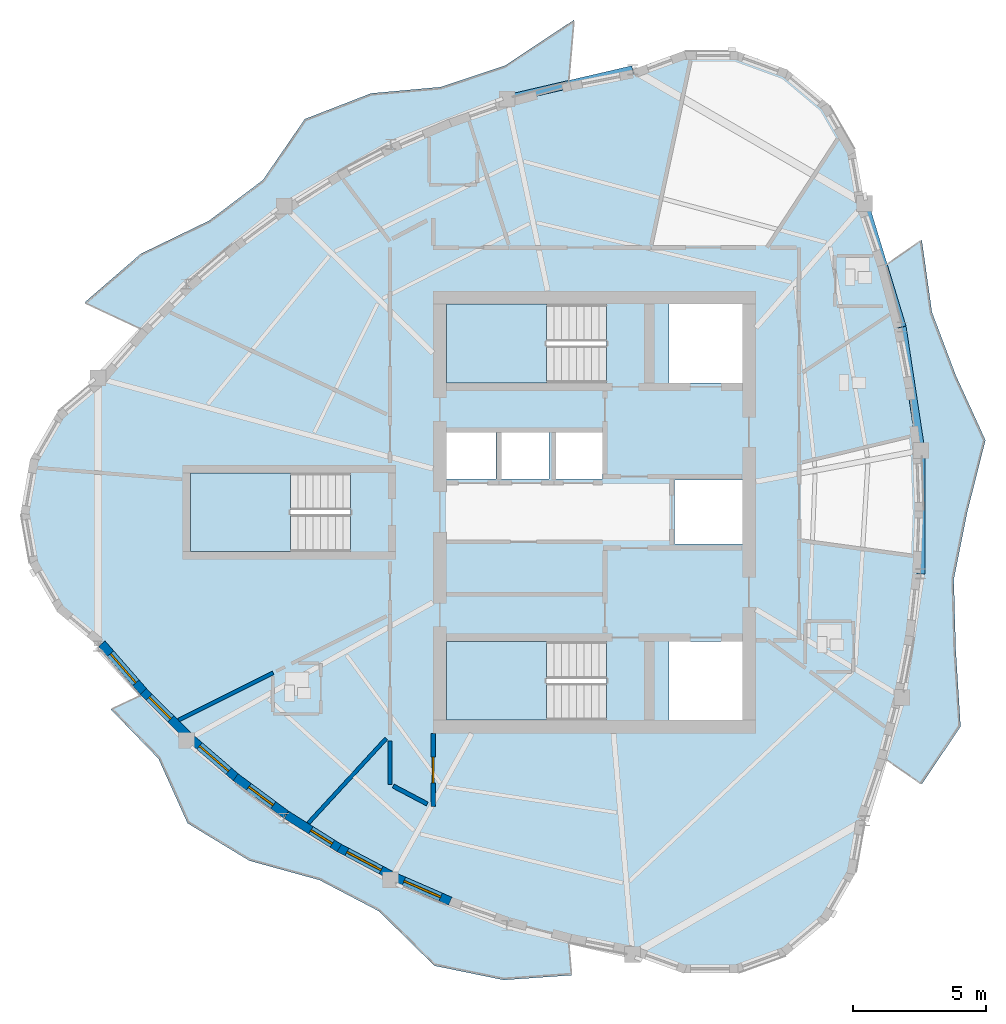
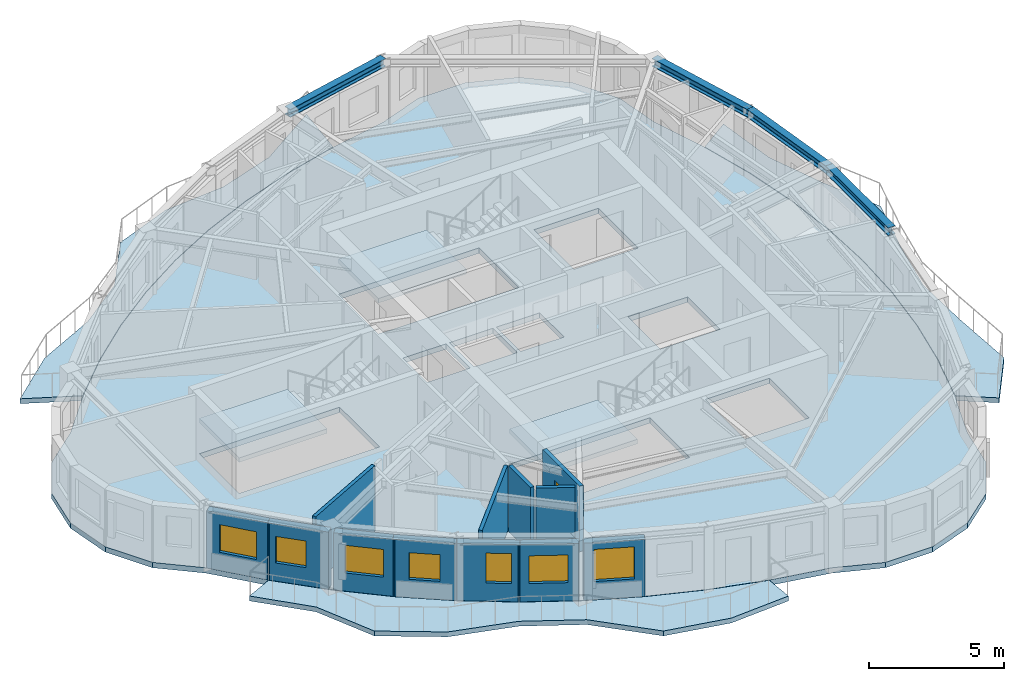
# One storey, part 2 of 12: 12 walls, 7 slabs, 7 windows, 4 beams, 1 door, 8 openings, 3 elements without a shape of their own.
"""IFC4 building model written with IfcOpenShell, lengths in metres."""

from ifc_helpers import new_model, si_unit, direction, frame, frame_2d, origin, origin_2d, place, context, subcontext, project, spatial, polyline, rectangle, i_section, outline, extrude, source, transform, mapped, material, layer, layer_set, material_profile, profile_set, type_object, element, fill, aggregate, save


model = new_model("IFC4")

# Units and contexts
model_context = context("Model", 3, precision=1e-05, world=origin(), true_north=direction((0.0, 1.0)))
body_context = subcontext(model_context, "Body", "Model", "MODEL_VIEW")
ifc_project = project(units=[si_unit("LENGTHUNIT", "METRE"), si_unit("AREAUNIT", "SQUARE_METRE"), si_unit("VOLUMEUNIT", "CUBIC_METRE"), si_unit("PLANEANGLEUNIT", "RADIAN"), si_unit("MASSUNIT", "GRAM", prefix="KILO")], contexts=[model_context])

# Site, building, storey
site_placement = place(None, origin())
site = spatial("IfcSite", under=ifc_project, at=site_placement, CompositionType="ELEMENT")
building_placement = place(site_placement, origin())
building = spatial("IfcBuilding", under=site, at=building_placement, Name="Qafzar Sky-Pleat Residences", CompositionType="ELEMENT")
storey_placement = place(building_placement, frame((0.0, 0.0, 198.800048828125)))
storey = spatial("IfcBuildingStorey", under=building, at=storey_placement, Name="L59", CompositionType="ELEMENT", Elevation=198.800048828125)

# Beams
ifc_material_1 = material(Name="Steel S355", Category="steel")
ifc_material_profile = material_profile(ifc_material_1, i_section(OverallWidth=0.300048828125, OverallDepth=0.360107421875, WebThickness=0.012451171875, FlangeThickness=0.0224609375, FilletRadius=0.027099609375, at=origin_2d()), Name="HEB 360")
ifc_profile_set = profile_set([ifc_material_profile], Name="Steel S355")
beam_type = type_object("IfcBeamType", Name="BM-SPAN-HEB360", PredefinedType="SPANDREL", material=ifc_profile_set)
shared_shape_1 = source(origin(), body_context, "Body", "SweptSolid", [
    extrude(i_section(OverallWidth=0.300048828125, OverallDepth=0.360107421875, WebThickness=0.012451171875, FlangeThickness=0.0224609375, FilletRadius=0.027099609375, at=origin_2d()), origin(), (0.0, 0.0, 1.0), 4.837158203125),
])
for number, where, z_axis, x_axis, name in (
    (1, (41.886962890625, 32.942138671875, 2.77783203125), (-0.290874397057, 0.956761247719, 0.0), (-0.956761247719, -0.290874397057, 0.0), "L59 Perimeter Spandrel Beam 12"),
    (2, (31.780029296875, 42.593017578125, 2.77783203125), (-0.974018125748, -0.226470065822, 0.0), (0.226470065822, -0.974018125748, 0.0), "L59 Perimeter Spandrel Beam 14"),
):
    element("IfcBeam", number, at=place(storey_placement, frame(where, z_axis=z_axis, x_axis=x_axis)), inside=storey, type_object=beam_type, Name=name, PredefinedType="SPANDREL", context=body_context, shape_type="MappedRepresentation", body=[
        mapped(shared_shape_1, transform((0.0, 0.0, 0.0), x_axis=(1.0, 0.0, 0.0), y_axis=(0.0, 1.0, 0.0), z_axis=(0.0, 0.0, 1.0), scale=1.0)),
    ])
shared_shape_2 = source(origin(), body_context, "Body", "SweptSolid", [
    extrude(i_section(OverallWidth=0.300048828125, OverallDepth=0.360107421875, WebThickness=0.012451171875, FlangeThickness=0.0224609375, FilletRadius=0.027099609375, at=origin_2d()), origin(), (0.0, 0.0, 1.0), 4.681396484375),
])
beam_1_placement = place(storey_placement, frame((42.59033203125, 28.31396484375, 2.77783203125), z_axis=(-0.150250295924, 0.988647990224, 0.0), x_axis=(-0.988647990224, -0.150250295924, 0.0)))
element("IfcBeam", 3, at=beam_1_placement, inside=storey, type_object=beam_type, Name="L59 Perimeter Spandrel Beam 11", PredefinedType="SPANDREL", context=body_context, shape_type="MappedRepresentation", body=[
    mapped(shared_shape_2, transform((0.0, 0.0, 0.0), x_axis=(1.0, 0.0, 0.0), y_axis=(0.0, 1.0, 0.0), z_axis=(0.0, 0.0, 1.0), scale=1.0)),
])
shared_shape_3 = source(origin(), body_context, "Body", "SweptSolid", [
    extrude(i_section(OverallWidth=0.300048828125, OverallDepth=0.360107421875, WebThickness=0.012451171875, FlangeThickness=0.0224609375, FilletRadius=0.027099609375, at=origin_2d()), origin(), (0.0, 0.0, 1.0), 4.6279296875),
])
beam_2_placement = place(storey_placement, frame((42.59033203125, 23.68603515625, 2.77783203125), z_axis=(0.0, 1.0, 0.0), x_axis=(-1.0, 0.0, 0.0)))
element("IfcBeam", 4, at=beam_2_placement, inside=storey, type_object=beam_type, Name="L59 Perimeter Spandrel Beam 10", PredefinedType="SPANDREL", context=body_context, shape_type="MappedRepresentation", body=[
    mapped(shared_shape_3, transform((0.0, 0.0, 0.0), x_axis=(1.0, 0.0, 0.0), y_axis=(0.0, 1.0, 0.0), z_axis=(0.0, 0.0, 1.0), scale=1.0)),
])

# Slabs
ifc_material_2 = material(Name="Concrete C40/50", Category="concrete")
ifc_layer_1 = layer(ifc_material_2, 0.219970703125)
ifc_layer_set_1 = layer_set([ifc_layer_1], Name="Concrete C40/50")
slab_type_1 = type_object("IfcSlabType", Name="SLAB-BAL-220", PredefinedType="USERDEFINED", material=ifc_layer_set_1)
slab_1_placement = place(storey_placement, frame((0.0, 0.0, -0.219970703125)))
element("IfcSlab", 5, at=slab_1_placement, inside=storey, type_object=slab_type_1, Name="L59 Pleated Stone Balcony 1", ObjectType="BALCONY", PredefinedType="USERDEFINED", context=body_context, shape_type="SweptSolid", body=[
    extrude(outline(polyline([(41.897705078125, 19.052490234375), (42.337890625, 21.368408203125), (42.602294921875, 23.68408203125), (42.690185546875, 26.0), (42.602294921875, 28.31591796875), (42.337890625, 30.631591796875), (41.897705078125, 32.947509765625), (41.28125, 35.262939453125), (42.624755859375, 36.199951171875), (43.0048828125, 33.5009765625), (43.896728515625, 31.13525390625), (45.01025390625, 28.69775390625), (44.328369140625, 26.0), (43.824951171875, 23.490234375), (43.896728515625, 20.86474609375), (44.078369140625, 17.96240234375), (42.624755859375, 15.800048828125), (41.28125, 16.737060546875), (41.897705078125, 19.052490234375)])), origin(), (0.0, 0.0, 1.0), 0.219970703125),
])
slab_2_placement = place(storey_placement, frame((0.0, 0.0, -0.219970703125)))
element("IfcSlab", 6, at=slab_2_placement, inside=storey, type_object=slab_type_1, Name="L59 Pleated Stone Balcony 2", ObjectType="BALCONY", PredefinedType="USERDEFINED", context=body_context, shape_type="SweptSolid", body=[
    extrude(outline(polyline([(27.06787109375, 41.509521484375), (24.84228515625, 40.73291015625), (22.70458984375, 39.803955078125), (20.65478515625, 38.72216796875), (18.693115234375, 37.48779296875), (16.81982421875, 36.101318359375), (15.034423828125, 34.56201171875), (13.33740234375, 32.870361328125), (11.226806640625, 33.859375), (13.333740234375, 35.68505859375), (15.901123046875, 36.93115234375), (17.913818359375, 38.449951171875), (19.489501953125, 40.74072265625), (21.974609375, 41.706787109375), (24.582763671875, 41.943359375), (26.993408203125, 42.7451171875), (29.580078125, 44.455810546875), (29.38134765625, 42.13330078125), (27.06787109375, 41.509521484375)])), origin(), (0.0, 0.0, 1.0), 0.219970703125),
])
slab_3_placement = place(storey_placement, frame((0.0, 0.0, -0.219970703125)))
element("IfcSlab", 7, at=slab_3_placement, inside=storey, type_object=slab_type_1, Name="L59 Pleated Stone Balcony 3", ObjectType="BALCONY", PredefinedType="USERDEFINED", context=body_context, shape_type="SweptSolid", body=[
    extrude(outline(polyline([(15.034423828125, 17.43798828125), (16.81982421875, 15.898681640625), (18.693115234375, 14.51220703125), (20.65478515625, 13.27783203125), (22.70458984375, 12.196044921875), (24.84228515625, 11.26708984375), (27.06787109375, 10.490478515625), (29.38134765625, 9.86669921875), (29.48681640625, 8.63330078125), (26.945556640625, 8.456298828125), (24.353759765625, 8.988037109375), (22.260986328125, 11.040283203125), (20.035888671875, 12.205810546875), (17.410400390625, 12.928466796875), (15.09033203125, 14.336181640625), (14.00146484375, 16.755859375), (12.21630859375, 18.604248046875), (13.33740234375, 19.129638671875), (15.034423828125, 17.43798828125)])), origin(), (0.0, 0.0, 1.0), 0.219970703125),
])
ifc_layer_2 = layer(ifc_material_2, 0.239990234375)
ifc_layer_set_2 = layer_set([ifc_layer_2], Name="Concrete C40/50")
slab_type_2 = type_object("IfcSlabType", Name="SLAB-FLR-240", PredefinedType="FLOOR", material=ifc_layer_set_2)
slab_4_placement = place(storey_placement, frame((0.0, 0.0, -0.239990234375)))
element("IfcSlab", 8, at=slab_4_placement, inside=storey, type_object=slab_type_2, Name="L59 Structural Floor Slab", PredefinedType="FLOOR", context=body_context, shape_type="SweptSolid", body=[
    extrude(outline(polyline([(11.739990234375, 31.02294921875), (10.197021484375, 29.728271484375), (9.189697265625, 27.983642578125), (8.840087890625, 26.0), (9.189697265625, 24.016357421875), (10.197021484375, 22.271728515625), (11.739990234375, 20.97705078125), (13.348388671875, 19.134765625), (15.04443359375, 17.444580078125), (16.82861328125, 15.90673828125), (18.70068359375, 14.521484375), (20.660888671875, 13.2880859375), (22.708740234375, 12.207275390625), (24.8447265625, 11.27880859375), (27.068603515625, 10.50244140625), (29.38037109375, 9.878662109375), (31.780029296875, 9.406982421875), (33.6728515625, 8.718017578125), (35.687255859375, 8.718017578125), (37.580078125, 9.406982421875), (39.123046875, 10.70166015625), (40.130126953125, 12.4462890625), (40.47998046875, 14.429931640625), (41.271484375, 16.743896484375), (41.886962890625, 19.057861328125), (42.32666015625, 21.3720703125), (42.59033203125, 23.68603515625), (42.67822265625, 26.0), (42.59033203125, 28.31396484375), (42.32666015625, 30.6279296875), (41.886962890625, 32.942138671875), (41.271484375, 35.256103515625), (40.47998046875, 37.570068359375), (40.130126953125, 39.5537109375), (39.123046875, 41.29833984375), (37.580078125, 42.593017578125), (35.687255859375, 43.281982421875), (33.6728515625, 43.281982421875), (31.780029296875, 42.593017578125), (29.38037109375, 42.121337890625), (27.068603515625, 41.49755859375), (24.8447265625, 40.72119140625), (22.708740234375, 39.792724609375), (20.660888671875, 38.7119140625), (18.70068359375, 37.478515625), (16.82861328125, 36.09326171875), (15.04443359375, 34.555419921875), (13.348388671875, 32.865234375), (11.739990234375, 31.02294921875)]), holes=[polyline([(30.797119140625, 21.14990234375), (24.800048828125, 21.14990234375), (24.800048828125, 18.199951171875), (30.797119140625, 18.199951171875), (30.797119140625, 21.14990234375)]), polyline([(30.797119140625, 33.800048828125), (24.800048828125, 33.800048828125), (24.800048828125, 30.85009765625), (30.797119140625, 30.85009765625), (30.797119140625, 33.800048828125)]), polyline([(21.197021484375, 27.47509765625), (15.199951171875, 27.47509765625), (15.199951171875, 24.52490234375), (21.197021484375, 24.52490234375), (21.197021484375, 27.47509765625)]), polyline([(24.800048828125, 27.25), (26.64990234375, 27.25), (26.64990234375, 29.050048828125), (24.800048828125, 29.050048828125), (24.800048828125, 27.25)]), polyline([(26.800048828125, 27.25), (28.64990234375, 27.25), (28.64990234375, 29.050048828125), (26.800048828125, 29.050048828125), (26.800048828125, 27.25)]), polyline([(28.800048828125, 27.25), (30.64990234375, 27.25), (30.64990234375, 29.050048828125), (28.800048828125, 29.050048828125), (28.800048828125, 27.25)]), polyline([(33.14990234375, 18.199951171875), (35.89990234375, 18.199951171875), (35.89990234375, 21.14990234375), (33.14990234375, 21.14990234375), (33.14990234375, 18.199951171875)]), polyline([(33.14990234375, 30.85009765625), (35.89990234375, 30.85009765625), (35.89990234375, 33.800048828125), (33.14990234375, 33.800048828125), (33.14990234375, 30.85009765625)]), polyline([(33.35009765625, 24.800048828125), (35.89990234375, 24.800048828125), (35.89990234375, 27.199951171875), (33.35009765625, 27.199951171875), (33.35009765625, 24.800048828125)])]), origin(), (0.0, 0.0, 1.0), 0.239990234375),
])

# Stair, slab
stair_type = type_object("IfcStairType", Name="STAIR-H320", PredefinedType="HALF_TURN_STAIR", material=ifc_material_2)
stair_1_placement = place(storey_placement, origin())
stair_1 = element("IfcStair", 9, at=stair_1_placement, inside=storey, type_object=stair_type, Name="L59 Protected Exit Stair ST1", PredefinedType="HALF_TURN_STAIR")
ifc_layer_3 = layer(ifc_material_2, 0.199951171875)
ifc_layer_set_3 = layer_set([ifc_layer_3], Name="Concrete C40/50")
slab_type_3 = type_object("IfcSlabType", Name="SLAB-LANDING-200", PredefinedType="LANDING", material=ifc_layer_set_3)
slab_5_placement = place(storey_placement, frame((0.0, 0.0, 1.39990234375)))
slab_5 = element("IfcSlab", 10, at=slab_5_placement, type_object=slab_type_3, Name="ST1 landing 1", PredefinedType="LANDING", context=body_context, shape_type="SweptSolid", body=[
    extrude(outline(polyline([(28.56005859375, 21.14990234375), (24.800048828125, 21.14990234375), (24.800048828125, 18.199951171875), (28.56005859375, 18.199951171875), (28.56005859375, 21.14990234375)])), origin(), (0.0, 0.0, 1.0), 0.199951171875),
])
aggregate(stair_1, [slab_5])

stair_2_placement = place(storey_placement, origin())
stair_2 = element("IfcStair", 11, at=stair_2_placement, inside=storey, type_object=stair_type, Name="L59 Protected Exit Stair ST2", PredefinedType="HALF_TURN_STAIR")
slab_6_placement = place(storey_placement, frame((0.0, 0.0, 1.39990234375)))
slab_6 = element("IfcSlab", 12, at=slab_6_placement, type_object=slab_type_3, Name="ST2 landing 1", PredefinedType="LANDING", context=body_context, shape_type="SweptSolid", body=[
    extrude(outline(polyline([(28.56005859375, 33.800048828125), (24.800048828125, 33.800048828125), (24.800048828125, 30.85009765625), (28.56005859375, 30.85009765625), (28.56005859375, 33.800048828125)])), origin(), (0.0, 0.0, 1.0), 0.199951171875),
])
aggregate(stair_2, [slab_6])

stair_3_placement = place(storey_placement, origin())
stair_3 = element("IfcStair", 13, at=stair_3_placement, inside=storey, type_object=stair_type, Name="L59 Protected Exit Stair ST3", PredefinedType="HALF_TURN_STAIR")
slab_7_placement = place(storey_placement, frame((0.0, 0.0, 1.39990234375)))
slab_7 = element("IfcSlab", 14, at=slab_7_placement, type_object=slab_type_3, Name="ST3 landing 1", PredefinedType="LANDING", context=body_context, shape_type="SweptSolid", body=[
    extrude(outline(polyline([(18.9599609375, 27.47509765625), (15.199951171875, 27.47509765625), (15.199951171875, 24.52490234375), (18.9599609375, 24.52490234375), (18.9599609375, 27.47509765625)])), origin(), (0.0, 0.0, 1.0), 0.199951171875),
])
aggregate(stair_3, [slab_7])

# Wall, opening, door
ifc_material_3 = material(Name="Acoustic gypsum plasterboard partition", Category="gypsum")
ifc_layer_4 = layer(ifc_material_3, 0.159912109375)
ifc_layer_set_4 = layer_set([ifc_layer_4], Name="Acoustic gypsum plasterboard partition")
wall_type_1 = type_object("IfcWallType", Name="PART-COR-160", PredefinedType="PARTITIONING", material=ifc_layer_set_4)
wall_1_placement = place(storey_placement, frame((24.300048828125, 17.69189453125, 0.0), z_axis=(0.0, 0.0, 1.0), x_axis=(0.0, -1.0, 0.0)))
wall_1 = element("IfcWall", 15, at=wall_1_placement, inside=storey, type_object=wall_type_1, Name="L59 Partition Wall PART-L59-PW-010", PredefinedType="PARTITIONING", context=body_context, shape_type="SweptSolid", body=[
    extrude(rectangle(XDim=2.73095703125, YDim=0.159912109375, at=frame_2d((1.365478515625, 0.0))), origin(), (0.0, 0.0, 1.0), 2.9599609375),
])
opening_1_placement = place(wall_1_placement, frame((0.881591796875, 0.0, 0.0)))
opening_1 = element("IfcOpeningElement", 16, at=opening_1_placement, cuts=wall_1, Name="Opening ID-06", PredefinedType="OPENING", context=body_context, shape_type="SweptSolid", body=[
    extrude(rectangle(XDim=0.9599609375, YDim=2.10009765625, at=frame_2d((0.47998046875, 1.050048828125))), frame((0.0, 0.08984375, 0.0), z_axis=(0.0, -1.0, 0.0), x_axis=(1.0, 0.0, 0.0)), (0.0, 0.0, 1.0), 0.179931640625),
])
ifc_material_4 = material(Name="Timber-faced fire door", Category="wood")
door_type = type_object("IfcDoorType", Name="DR-STD-960", OperationType="NOTDEFINED", PredefinedType="DOOR", material=ifc_material_4)
shared_shape_4 = source(origin(), body_context, "Body", "SweptSolid", [
    extrude(rectangle(XDim=0.9599609375, YDim=2.10009765625, at=frame_2d((0.47998046875, 1.050048828125))), frame((0.0, 0.02490234375, 0.0), z_axis=(0.0, -1.0, 0.0), x_axis=(1.0, 0.0, 0.0)), (0.0, 0.0, 1.0), 0.050048828125),
])
door_placement = place(opening_1_placement, origin())
door = element("IfcDoor", 17, at=door_placement, inside=storey, type_object=door_type, Name="L59 Reading Library Door", OperationType="SINGLE_SWING_LEFT", OverallHeight=2.10009765625, OverallWidth=0.9599609375, PredefinedType="DOOR", context=body_context, shape_type="MappedRepresentation", body=[
    mapped(shared_shape_4, transform((0.0, 0.0, 0.0), x_axis=(1.0, 0.0, 0.0), y_axis=(0.0, 1.0, 0.0), z_axis=(0.0, 0.0, 1.0), scale=1.0)),
])
fill(opening_1, door)

# Walls
wall_2_placement = place(storey_placement, frame((22.679931640625, 15.7958984375, 0.0), z_axis=(0.0, 0.0, 1.0), x_axis=(0.0, 1.0, 0.0)))
element("IfcWall", 18, at=wall_2_placement, inside=storey, type_object=wall_type_1, Name="L59 Partition Wall PART-L59-PW-030", PredefinedType="PARTITIONING", context=body_context, shape_type="SweptSolid", body=[
    extrude(rectangle(XDim=1.628173828125, YDim=0.159912109375, at=frame_2d((0.81396484375, 0.0))), origin(), (0.0, 0.0, 1.0), 2.9599609375),
])
wall_3_placement = place(storey_placement, frame((22.804443359375, 15.730224609375, 0.0), z_axis=(0.0, 0.0, 1.0), x_axis=(0.884376976103, -0.466773354143, 0.0)))
element("IfcWall", 19, at=wall_3_placement, inside=storey, type_object=wall_type_1, Name="L59 Partition Wall PART-L59-PW-040", PredefinedType="PARTITIONING", context=body_context, shape_type="SweptSolid", body=[
    extrude(rectangle(XDim=1.43994140625, YDim=0.159912109375, at=frame_2d((0.719970703125, 0.0))), origin(), (0.0, 0.0, 1.0), 2.9599609375),
])
ifc_layer_5 = layer(ifc_material_3, 0.14501953125)
ifc_layer_set_5 = layer_set([ifc_layer_5], Name="Acoustic gypsum plasterboard partition")
wall_type_2 = type_object("IfcWallType", Name="PART-UNIT-145", PredefinedType="PARTITIONING", material=ifc_layer_set_5)
wall_4_placement = place(storey_placement, frame((19.625, 14.3427734375, 0.0), z_axis=(0.0, 0.0, 1.0), x_axis=(0.677104421975, 0.735886949023, 0.0)))
element("IfcWall", 20, at=wall_4_placement, inside=storey, type_object=wall_type_2, Name="L59 Partition Wall PART-L59-PW-021", PredefinedType="PARTITIONING", context=body_context, shape_type="SweptSolid", body=[
    extrude(rectangle(XDim=4.306884765625, YDim=0.14501953125, at=frame_2d((2.1533203125, 0.0))), origin(), (0.0, 0.0, 1.0), 2.9599609375),
])
wall_5_placement = place(storey_placement, frame((14.75390625, 18.201904296875, 0.0), z_axis=(0.0, 0.0, 1.0), x_axis=(0.894464106055, 0.44713975777, 0.0)))
element("IfcWall", 21, at=wall_5_placement, inside=storey, type_object=wall_type_2, Name="L59 Partition Wall PART-L59-PW-027", PredefinedType="PARTITIONING", context=body_context, shape_type="SweptSolid", body=[
    extrude(rectangle(XDim=3.9677734375, YDim=0.14501953125, at=frame_2d((1.98388671875, 0.0))), origin(), (0.0, 0.0, 1.0), 2.9599609375),
])

# Wall, opening, window
ifc_material_5 = material(Name="Precast concrete C40/50 with honed Riyadh limestone", Category="concrete")
ifc_layer_6 = layer(ifc_material_5, 0.320068359375)
ifc_layer_set_6 = layer_set([ifc_layer_6], Name="Precast concrete C40/50 with honed Riyadh limestone")
wall_type_3 = type_object("IfcWallType", Name="WALL-EXT-320", PredefinedType="SOLIDWALL", material=ifc_layer_set_6)
wall_6_placement = place(storey_placement, frame((11.873779296875, 21.0673828125, 0.0), z_axis=(0.0, 0.0, 1.0), x_axis=(0.657571063417, -0.753392524888, 0.0)))
wall_6 = element("IfcWall", 22, at=wall_6_placement, inside=storey, type_object=wall_type_3, Name="L59 Limestone Facade Wall 7", PredefinedType="SOLIDWALL", context=body_context, shape_type="SweptSolid", body=[
    extrude(rectangle(XDim=2.4638671875, YDim=0.320068359375, at=frame_2d((1.23193359375, 0.0))), origin(), (0.0, 0.0, 1.0), 2.579833984375),
])
opening_2_placement = place(wall_6_placement, frame((0.496826171875, 0.0, 0.820068359375)))
opening_2 = element("IfcOpeningElement", 23, at=opening_2_placement, cuts=wall_6, Name="Opening WN-15", PredefinedType="OPENING", context=body_context, shape_type="SweptSolid", body=[
    extrude(rectangle(XDim=1.449951171875, YDim=1.25, at=frame_2d((0.72509765625, 0.625))), frame((0.0, 0.169921875, 0.0), z_axis=(0.0, -1.0, 0.0), x_axis=(1.0, 0.0, 0.0)), (0.0, 0.0, 1.0), 0.340087890625),
])
ifc_material_6 = material(Name="Solar-control low-E glass in bronze aluminium frame", Category="glass")
window_type_1 = type_object("IfcWindowType", Name="WIN-15", PartitioningType="SINGLE_PANEL", PredefinedType="WINDOW", material=ifc_material_6)
shared_shape_5 = source(origin(), body_context, "Body", "SweptSolid", [
    extrude(rectangle(XDim=1.449951171875, YDim=1.25, at=frame_2d((0.72509765625, 0.625))), frame((0.0, 0.030029296875, 0.0), z_axis=(0.0, -1.0, 0.0), x_axis=(1.0, 0.0, 0.0)), (0.0, 0.0, 1.0), 0.06005859375),
])
window_1_placement = place(opening_2_placement, origin())
window_1 = element("IfcWindow", 24, at=window_1_placement, inside=storey, type_object=window_type_1, Name="L59 Punched Facade Window 07", OverallHeight=1.25, OverallWidth=1.449951171875, PartitioningType="SINGLE_PANEL", PredefinedType="WINDOW", context=body_context, shape_type="MappedRepresentation", body=[
    mapped(shared_shape_5, transform((0.0, 0.0, 0.0), x_axis=(1.0, 0.0, 0.0), y_axis=(0.0, 1.0, 0.0), z_axis=(0.0, 0.0, 1.0), scale=1.0)),
])
fill(opening_2, window_1)

wall_7_placement = place(storey_placement, frame((13.434326171875, 19.27490234375, 0.0), z_axis=(0.0, 0.0, 1.0), x_axis=(0.708408377073, -0.705802784985, 0.0)))
wall_7 = element("IfcWall", 25, at=wall_7_placement, inside=storey, type_object=wall_type_3, Name="L59 Limestone Facade Wall 8", PredefinedType="SOLIDWALL", context=body_context, shape_type="SweptSolid", body=[
    extrude(rectangle(XDim=2.342529296875, YDim=0.320068359375, at=frame_2d((1.17138671875, 0.0))), origin(), (0.0, 0.0, 1.0), 2.579833984375),
])
opening_3_placement = place(wall_7_placement, frame((0.3076171875, 0.0, 0.820068359375)))
opening_3 = element("IfcOpeningElement", 26, at=opening_3_placement, cuts=wall_7, Name="Opening WN-16", PredefinedType="OPENING", context=body_context, shape_type="SweptSolid", body=[
    extrude(rectangle(XDim=1.14990234375, YDim=1.199951171875, at=frame_2d((0.574951171875, 0.60009765625))), frame((0.0, 0.169921875, 0.0), z_axis=(0.0, -1.0, 0.0), x_axis=(1.0, 0.0, 0.0)), (0.0, 0.0, 1.0), 0.340087890625),
])
window_type_2 = type_object("IfcWindowType", Name="WIN-16", PartitioningType="SINGLE_PANEL", PredefinedType="WINDOW", material=ifc_material_6)
shared_shape_6 = source(origin(), body_context, "Body", "SweptSolid", [
    extrude(rectangle(XDim=1.14990234375, YDim=1.199951171875, at=frame_2d((0.574951171875, 0.60009765625))), frame((0.0, 0.030029296875, 0.0), z_axis=(0.0, -1.0, 0.0), x_axis=(1.0, 0.0, 0.0)), (0.0, 0.0, 1.0), 0.06005859375),
])
window_2_placement = place(opening_3_placement, origin())
window_2 = element("IfcWindow", 27, at=window_2_placement, inside=storey, type_object=window_type_2, Name="L59 Punched Facade Window 08", OverallHeight=1.199951171875, OverallWidth=1.14990234375, PartitioningType="SINGLE_PANEL", PredefinedType="WINDOW", context=body_context, shape_type="MappedRepresentation", body=[
    mapped(shared_shape_6, transform((0.0, 0.0, 0.0), x_axis=(1.0, 0.0, 0.0), y_axis=(0.0, 1.0, 0.0), z_axis=(0.0, 0.0, 1.0), scale=1.0)),
])
fill(opening_3, window_2)

wall_8_placement = place(storey_placement, frame((15.217041015625, 17.507080078125, 0.0), z_axis=(0.0, 0.0, 1.0), x_axis=(0.757473216355, -0.652866239366, 0.0)))
wall_8 = element("IfcWall", 28, at=wall_8_placement, inside=storey, type_object=wall_type_3, Name="L59 Limestone Facade Wall 9", PredefinedType="SOLIDWALL", context=body_context, shape_type="SweptSolid", body=[
    extrude(rectangle(XDim=2.303466796875, YDim=0.320068359375, at=frame_2d((1.15185546875, 0.0))), origin(), (0.0, 0.0, 1.0), 2.579833984375),
])
opening_4_placement = place(wall_8_placement, frame((0.421630859375, 0.0, 0.820068359375)))
opening_4 = element("IfcOpeningElement", 29, at=opening_4_placement, cuts=wall_8, Name="Opening WN-15", PredefinedType="OPENING", context=body_context, shape_type="SweptSolid", body=[
    extrude(rectangle(XDim=1.449951171875, YDim=1.25, at=frame_2d((0.72509765625, 0.625))), frame((0.0, 0.169921875, 0.0), z_axis=(0.0, -1.0, 0.0), x_axis=(1.0, 0.0, 0.0)), (0.0, 0.0, 1.0), 0.340087890625),
])
window_3_placement = place(opening_4_placement, origin())
window_3 = element("IfcWindow", 30, at=window_3_placement, inside=storey, type_object=window_type_1, Name="L59 Punched Facade Window 09", OverallHeight=1.25, OverallWidth=1.449951171875, PartitioningType="SINGLE_PANEL", PredefinedType="WINDOW", context=body_context, shape_type="MappedRepresentation", body=[
    mapped(shared_shape_5, transform((0.0, 0.0, 0.0), x_axis=(1.0, 0.0, 0.0), y_axis=(0.0, 1.0, 0.0), z_axis=(0.0, 0.0, 1.0), scale=1.0)),
])
fill(opening_4, window_3)

wall_9_placement = place(storey_placement, frame((16.893310546875, 16.05810546875, 0.0), z_axis=(0.0, 0.0, 1.0), x_axis=(0.803791161534, -0.594911563713, 0.0)))
wall_9 = element("IfcWall", 31, at=wall_9_placement, inside=storey, type_object=wall_type_3, Name="L59 Limestone Facade Wall 10", PredefinedType="SOLIDWALL", context=body_context, shape_type="SweptSolid", body=[
    extrude(rectangle(XDim=2.346923828125, YDim=0.320068359375, at=frame_2d((1.17333984375, 0.0))), origin(), (0.0, 0.0, 1.0), 2.579833984375),
])
opening_5_placement = place(wall_9_placement, frame((0.6083984375, 0.0, 0.820068359375)))
opening_5 = element("IfcOpeningElement", 32, at=opening_5_placement, cuts=wall_9, Name="Opening WN-16", PredefinedType="OPENING", context=body_context, shape_type="SweptSolid", body=[
    extrude(rectangle(XDim=1.14990234375, YDim=1.199951171875, at=frame_2d((0.574951171875, 0.60009765625))), frame((0.0, 0.169921875, 0.0), z_axis=(0.0, -1.0, 0.0), x_axis=(1.0, 0.0, 0.0)), (0.0, 0.0, 1.0), 0.340087890625),
])
window_4_placement = place(opening_5_placement, origin())
window_4 = element("IfcWindow", 33, at=window_4_placement, inside=storey, type_object=window_type_2, Name="L59 Punched Facade Window 10", OverallHeight=1.199951171875, OverallWidth=1.14990234375, PartitioningType="SINGLE_PANEL", PredefinedType="WINDOW", context=body_context, shape_type="MappedRepresentation", body=[
    mapped(shared_shape_6, transform((0.0, 0.0, 0.0), x_axis=(1.0, 0.0, 0.0), y_axis=(0.0, 1.0, 0.0), z_axis=(0.0, 0.0, 1.0), scale=1.0)),
])
fill(opening_5, window_4)

wall_10_placement = place(storey_placement, frame((18.802978515625, 14.646240234375, 0.0), z_axis=(0.0, 0.0, 1.0), x_axis=(0.846390024768, -0.532563541724, 0.0)))
wall_10 = element("IfcWall", 34, at=wall_10_placement, inside=storey, type_object=wall_type_3, Name="L59 Limestone Facade Wall 11", PredefinedType="SOLIDWALL", context=body_context, shape_type="SweptSolid", body=[
    extrude(rectangle(XDim=2.333740234375, YDim=0.320068359375, at=frame_2d((1.1669921875, 0.0))), origin(), (0.0, 0.0, 1.0), 2.579833984375),
])
opening_6_placement = place(wall_10_placement, frame((1.07763671875, 0.0, 0.820068359375)))
opening_6 = element("IfcOpeningElement", 35, at=opening_6_placement, cuts=wall_10, Name="Opening WN-12", PredefinedType="OPENING", context=body_context, shape_type="SweptSolid", body=[
    extrude(rectangle(XDim=0.949951171875, YDim=1.35009765625, at=frame_2d((0.47509765625, 0.675048828125))), frame((0.0, 0.169921875, 0.0), z_axis=(0.0, -1.0, 0.0), x_axis=(1.0, 0.0, 0.0)), (0.0, 0.0, 1.0), 0.340087890625),
])
window_type_3 = type_object("IfcWindowType", Name="WIN-12", PartitioningType="SINGLE_PANEL", PredefinedType="WINDOW", material=ifc_material_6)
shared_shape_7 = source(origin(), body_context, "Body", "SweptSolid", [
    extrude(rectangle(XDim=0.949951171875, YDim=1.35009765625, at=frame_2d((0.47509765625, 0.675048828125))), frame((0.0, 0.030029296875, 0.0), z_axis=(0.0, -1.0, 0.0), x_axis=(1.0, 0.0, 0.0)), (0.0, 0.0, 1.0), 0.06005859375),
])
window_5_placement = place(opening_6_placement, origin())
window_5 = element("IfcWindow", 36, at=window_5_placement, inside=storey, type_object=window_type_3, Name="L59 Punched Facade Window 11-2", OverallHeight=1.35009765625, OverallWidth=0.949951171875, PartitioningType="SINGLE_PANEL", PredefinedType="WINDOW", context=body_context, shape_type="MappedRepresentation", body=[
    mapped(shared_shape_7, transform((0.0, 0.0, 0.0), x_axis=(1.0, 0.0, 0.0), y_axis=(0.0, 1.0, 0.0), z_axis=(0.0, 0.0, 1.0), scale=1.0)),
])
fill(opening_6, window_5)

wall_11_placement = place(storey_placement, frame((20.701904296875, 13.447509765625, 0.0), z_axis=(0.0, 0.0, 1.0), x_axis=(0.884374859293, -0.466777364758, 0.0)))
wall_11 = element("IfcWall", 37, at=wall_11_placement, inside=storey, type_object=wall_type_3, Name="L59 Limestone Facade Wall 12", PredefinedType="SOLIDWALL", context=body_context, shape_type="SweptSolid", body=[
    extrude(rectangle(XDim=2.263671875, YDim=0.320068359375, at=frame_2d((1.1318359375, 0.0))), origin(), (0.0, 0.0, 1.0), 2.579833984375),
])
opening_7_placement = place(wall_11_placement, frame((0.411865234375, 0.0, 0.820068359375)))
opening_7 = element("IfcOpeningElement", 38, at=opening_7_placement, cuts=wall_11, Name="Opening WN-15", PredefinedType="OPENING", context=body_context, shape_type="SweptSolid", body=[
    extrude(rectangle(XDim=1.449951171875, YDim=1.25, at=frame_2d((0.72509765625, 0.625))), frame((0.0, 0.169921875, 0.0), z_axis=(0.0, -1.0, 0.0), x_axis=(1.0, 0.0, 0.0)), (0.0, 0.0, 1.0), 0.340087890625),
])
window_6_placement = place(opening_7_placement, origin())
window_6 = element("IfcWindow", 39, at=window_6_placement, inside=storey, type_object=window_type_1, Name="L59 Punched Facade Window 12", OverallHeight=1.25, OverallWidth=1.449951171875, PartitioningType="SINGLE_PANEL", PredefinedType="WINDOW", context=body_context, shape_type="MappedRepresentation", body=[
    mapped(shared_shape_5, transform((0.0, 0.0, 0.0), x_axis=(1.0, 0.0, 0.0), y_axis=(0.0, 1.0, 0.0), z_axis=(0.0, 0.0, 1.0), scale=1.0)),
])
fill(opening_7, window_6)

wall_12_placement = place(storey_placement, frame((22.85498046875, 12.318115234375, 0.0), z_axis=(0.0, 0.0, 1.0), x_axis=(0.917114368262, -0.398624178302, 0.0)))
wall_12 = element("IfcWall", 40, at=wall_12_placement, inside=storey, type_object=wall_type_3, Name="L59 Limestone Facade Wall 13", PredefinedType="SOLIDWALL", context=body_context, shape_type="SweptSolid", body=[
    extrude(rectangle(XDim=2.277099609375, YDim=0.320068359375, at=frame_2d((1.138671875, 0.0))), origin(), (0.0, 0.0, 1.0), 2.579833984375),
])
opening_8_placement = place(wall_12_placement, frame((0.383544921875, 0.0, 0.820068359375)))
opening_8 = element("IfcOpeningElement", 41, at=opening_8_placement, cuts=wall_12, Name="Opening WN-03", PredefinedType="OPENING", context=body_context, shape_type="SweptSolid", body=[
    extrude(rectangle(XDim=1.5, YDim=1.449951171875, at=frame_2d((0.75, 0.72509765625))), frame((0.0, 0.169921875, 0.0), z_axis=(0.0, -1.0, 0.0), x_axis=(1.0, 0.0, 0.0)), (0.0, 0.0, 1.0), 0.340087890625),
])
window_type_4 = type_object("IfcWindowType", Name="WIN-03", PartitioningType="DOUBLE_PANEL_VERTICAL", PredefinedType="WINDOW", material=ifc_material_6)
shared_shape_8 = source(origin(), body_context, "Body", "SweptSolid", [
    extrude(rectangle(XDim=1.5, YDim=1.449951171875, at=frame_2d((0.75, 0.72509765625))), frame((0.0, 0.030029296875, 0.0), z_axis=(0.0, -1.0, 0.0), x_axis=(1.0, 0.0, 0.0)), (0.0, 0.0, 1.0), 0.06005859375),
])
window_7_placement = place(opening_8_placement, origin())
window_7 = element("IfcWindow", 42, at=window_7_placement, inside=storey, type_object=window_type_4, Name="L59 Punched Facade Window 13", OverallHeight=1.449951171875, OverallWidth=1.5, PartitioningType="SINGLE_PANEL", PredefinedType="WINDOW", context=body_context, shape_type="MappedRepresentation", body=[
    mapped(shared_shape_8, transform((0.0, 0.0, 0.0), x_axis=(1.0, 0.0, 0.0), y_axis=(0.0, 1.0, 0.0), z_axis=(0.0, 0.0, 1.0), scale=1.0)),
])
fill(opening_8, window_7)

save(model, "model.ifc")
